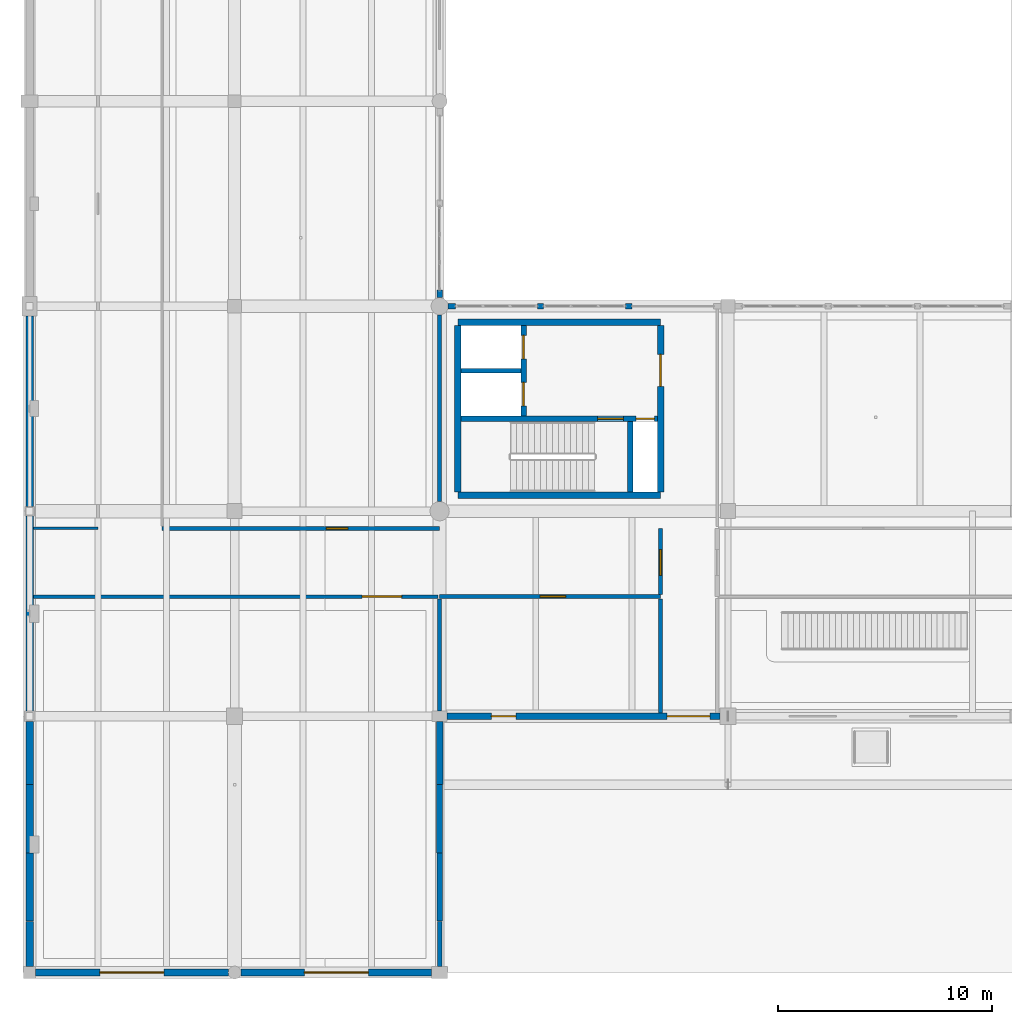
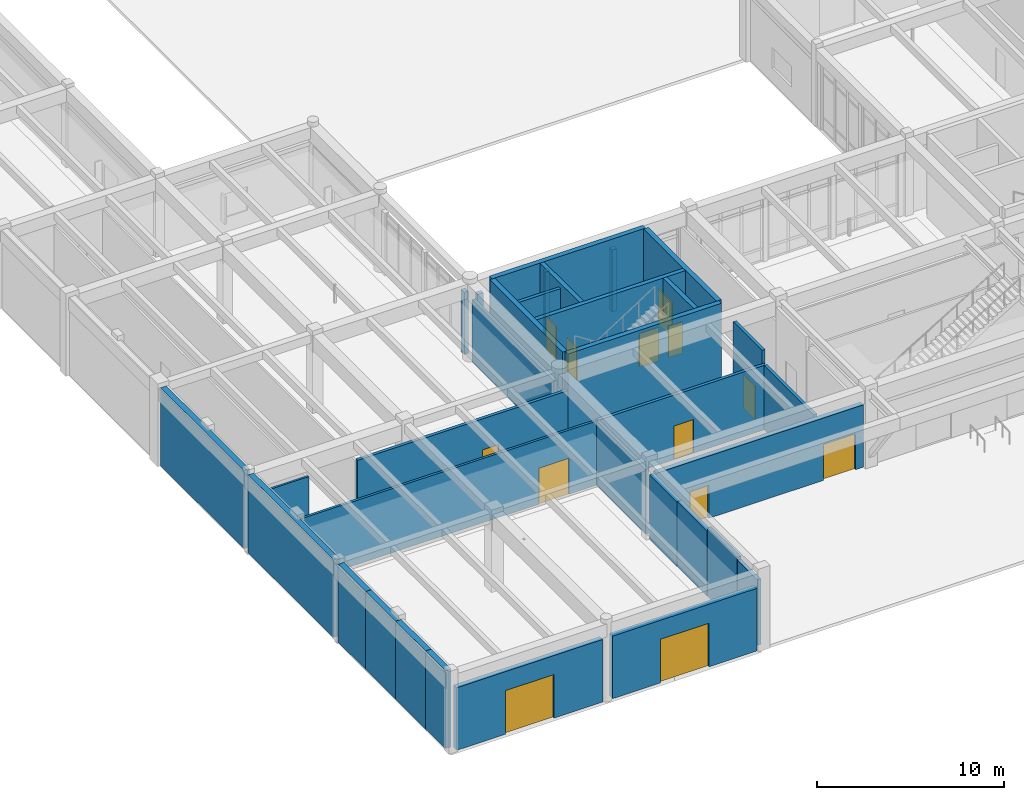
# One storey, part 107 of 138: 33 walls, 13 doors, 13 openings.
"""IFC4 building model written with IfcOpenShell, lengths in metres."""

from ifc_helpers import new_model, si_unit, direction, frame, frame_2d, origin, place, context, subcontext, project, spatial, rectangle, extrude, material, layer, layer_set, type_object, element, fill, save


model = new_model("IFC4")

# Units and contexts
model_context = context("Model", 3, precision=1e-05, world=origin(), true_north=direction((0.0, 1.0)))
body_context = subcontext(model_context, "Body", "Model", "MODEL_VIEW")
ifc_project = project(units=[si_unit("LENGTHUNIT", "METRE"), si_unit("AREAUNIT", "SQUARE_METRE"), si_unit("VOLUMEUNIT", "CUBIC_METRE"), si_unit("PLANEANGLEUNIT", "RADIAN"), si_unit("MASSUNIT", "GRAM", prefix="KILO")], contexts=[model_context])

# Site, building, storey
site_placement = place(None, origin())
site = spatial("IfcSite", under=ifc_project, at=site_placement, CompositionType="ELEMENT")
building_placement = place(site_placement, origin())
building = spatial("IfcBuilding", under=site, at=building_placement, Name="Fikremerkos Civic Library", CompositionType="ELEMENT")
storey_placement = place(building_placement, origin())
storey = spatial("IfcBuildingStorey", under=building, at=storey_placement, Name="L00", CompositionType="ELEMENT", Elevation=0.0)

# Walls
ifc_material_1 = material(Name="Concrete C40/50", Category="concrete")
ifc_layer_1 = layer(ifc_material_1, 0.300048828125, Name="Concrete C40/50")
ifc_layer_set_1 = layer_set([ifc_layer_1], Name="Concrete C40/50")
wall_type_1 = type_object("IfcWallType", Name="Core shear wall CSW-01 300", PredefinedType="SHEAR", material=ifc_layer_set_1)
for number, where, z_axis, x_axis, name in (
    (1, (29.550048828125, 22.35009765625, 0.0), (0.0, 0.0, 1.0), (-1.0, 0.0, 0.0), "Core K1 south shear wall L00"),
    (2, (20.050048828125, 30.449951171875, 0.0), (0.0, 0.0, 1.0), (1.0, 0.0, 0.0), "Core K1 north shear wall L00"),
):
    element("IfcWall", number, at=place(storey_placement, frame(where, z_axis=z_axis, x_axis=x_axis)), inside=storey, type_object=wall_type_1, Name=name, PredefinedType="SHEAR", context=body_context, shape_type="SweptSolid", body=[
        extrude(rectangle(XDim=9.5, YDim=0.300048828125, at=frame_2d((4.75, 0.0))), origin(), (0.0, 0.0, 1.0), 5.39990234375),
    ])
wall_1_placement = place(storey_placement, frame((20.050048828125, 22.501953125, 0.0), z_axis=(0.0, 0.0, 1.0), x_axis=(0.0, 1.0, 0.0)))
element("IfcWall", 3, at=wall_1_placement, inside=storey, type_object=wall_type_1, Name="Core K1 west shear wall L00", PredefinedType="SHEAR", context=body_context, shape_type="SweptSolid", body=[
    extrude(rectangle(XDim=7.796142578125, YDim=0.300048828125, at=frame_2d((3.89794921875, 0.0))), origin(), (0.0, 0.0, 1.0), 5.39990234375),
])

# Wall, opening, door
wall_2_placement = place(storey_placement, frame((29.550048828125, 30.298095703125, 0.0), z_axis=(0.0, 0.0, 1.0), x_axis=(0.0, -1.0, 0.0)))
wall_2 = element("IfcWall", 4, at=wall_2_placement, inside=storey, type_object=wall_type_1, Name="Core K1 east shear wall L00", PredefinedType="SHEAR", context=body_context, shape_type="SweptSolid", body=[
    extrude(rectangle(XDim=7.796142578125, YDim=0.300048828125, at=frame_2d((3.89794921875, 0.0))), origin(), (0.0, 0.0, 1.0), 5.39990234375),
])
opening_1_placement = place(wall_2_placement, frame((1.347900390625, 0.0, 0.0)))
opening_1 = element("IfcOpeningElement", 5, at=opening_1_placement, cuts=wall_2, Name="Opening D035", PredefinedType="OPENING", context=body_context, shape_type="SweptSolid", body=[
    extrude(rectangle(XDim=1.5, YDim=2.25, at=frame_2d((0.75, 1.125))), frame((0.0, 0.159912109375, 0.0), z_axis=(0.0, -1.0, 0.0), x_axis=(1.0, 0.0, 0.0)), (0.0, 0.0, 1.0), 0.320068359375),
])
ifc_material_2 = material(Name="Hardwood timber and acoustic glass", Category="wood")
door_type_1 = type_object("IfcDoorType", Name="Pedestrian door DT-05 1500x2250", OperationType="NOTDEFINED", PredefinedType="DOOR", material=ifc_material_2)
door_1_placement = place(opening_1_placement, origin())
door_1 = element("IfcDoor", 6, at=door_1_placement, inside=storey, type_object=door_type_1, Name="Core K1 lobby fire door D035 L00", OperationType="SINGLE_SWING_RIGHT", OverallHeight=2.25, OverallWidth=1.5, PredefinedType="DOOR", context=body_context, shape_type="SweptSolid", body=[
    extrude(rectangle(XDim=1.5, YDim=2.25, at=frame_2d((0.75, 1.125))), frame((0.0, 0.032470703125, 0.0), z_axis=(0.0, -1.0, 0.0), x_axis=(1.0, 0.0, 0.0)), (0.0, 0.0, 1.0), 0.06494140625),
])
fill(opening_1, door_1)

# Wall, openings, doors
ifc_layer_2 = layer(ifc_material_1, 0.260009765625, Name="Concrete C40/50")
ifc_layer_set_2 = layer_set([ifc_layer_2], Name="Concrete C40/50")
wall_type_2 = type_object("IfcWallType", Name="Core shear wall CSW-02 260", PredefinedType="SHEAR", material=ifc_layer_set_2)
wall_3_placement = place(storey_placement, frame((20.201904296875, 25.929931640625, 0.0), z_axis=(0.0, 0.0, 1.0), x_axis=(1.0, 0.0, 0.0)))
wall_3 = element("IfcWall", 7, at=wall_3_placement, inside=storey, type_object=wall_type_2, Name="Core K1 stair compartment wall L00", PredefinedType="SHEAR", context=body_context, shape_type="SweptSolid", body=[
    extrude(rectangle(XDim=9.196044921875, YDim=0.260009765625, at=frame_2d((4.59814453125, 0.0))), origin(), (0.0, 0.0, 1.0), 5.39990234375),
])
opening_2_placement = place(wall_3_placement, frame((6.39794921875, 0.0, 0.0)))
opening_2 = element("IfcOpeningElement", 8, at=opening_2_placement, cuts=wall_3, Name="Opening D036", PredefinedType="OPENING", context=body_context, shape_type="SweptSolid", body=[
    extrude(rectangle(XDim=1.199951171875, YDim=2.199951171875, at=frame_2d((0.60009765625, 1.10009765625))), frame((0.0, 0.139892578125, 0.0), z_axis=(0.0, -1.0, 0.0), x_axis=(1.0, 0.0, 0.0)), (0.0, 0.0, 1.0), 0.280029296875),
])
opening_3_placement = place(wall_3_placement, frame((8.202880859375, 0.0, 0.0)))
opening_3 = element("IfcOpeningElement", 9, at=opening_3_placement, cuts=wall_3, Name="Opening D037", PredefinedType="OPENING", context=body_context, shape_type="SweptSolid", body=[
    extrude(rectangle(XDim=0.85009765625, YDim=2.050048828125, at=frame_2d((0.425048828125, 1.02490234375))), frame((0.0, 0.139892578125, 0.0), z_axis=(0.0, -1.0, 0.0), x_axis=(1.0, 0.0, 0.0)), (0.0, 0.0, 1.0), 0.280029296875),
])
door_type_2 = type_object("IfcDoorType", Name="Pedestrian door DT-06 1200x2200", OperationType="NOTDEFINED", PredefinedType="DOOR", material=ifc_material_2)
door_2_placement = place(opening_2_placement, origin())
door_2 = element("IfcDoor", 10, at=door_2_placement, inside=storey, type_object=door_type_2, Name="Core K1 stair fire door D036 L00", OperationType="SINGLE_SWING_RIGHT", OverallHeight=2.199951171875, OverallWidth=1.199951171875, PredefinedType="DOOR", context=body_context, shape_type="SweptSolid", body=[
    extrude(rectangle(XDim=1.199951171875, YDim=2.199951171875, at=frame_2d((0.60009765625, 1.10009765625))), frame((0.0, 0.032470703125, 0.0), z_axis=(0.0, -1.0, 0.0), x_axis=(1.0, 0.0, 0.0)), (0.0, 0.0, 1.0), 0.06494140625),
])
fill(opening_2, door_2)
door_type_3 = type_object("IfcDoorType", Name="Pedestrian door DT-08 850x2050", OperationType="NOTDEFINED", PredefinedType="DOOR", material=ifc_material_2)
door_3_placement = place(opening_3_placement, origin())
door_3 = element("IfcDoor", 11, at=door_3_placement, inside=storey, type_object=door_type_3, Name="Core K1 riser access fire door D037 L00", OperationType="SINGLE_SWING_LEFT", OverallHeight=2.050048828125, OverallWidth=0.85009765625, PredefinedType="DOOR", context=body_context, shape_type="SweptSolid", body=[
    extrude(rectangle(XDim=0.85009765625, YDim=2.050048828125, at=frame_2d((0.425048828125, 1.02490234375))), frame((0.0, 0.032470703125, 0.0), z_axis=(0.0, -1.0, 0.0), x_axis=(1.0, 0.0, 0.0)), (0.0, 0.0, 1.0), 0.06494140625),
])
fill(opening_3, door_3)

# Wall
wall_4_placement = place(storey_placement, frame((28.1298828125, 22.501953125, 0.0), z_axis=(0.0, 0.0, 1.0), x_axis=(0.0, 1.0, 0.0)))
element("IfcWall", 12, at=wall_4_placement, inside=storey, type_object=wall_type_2, Name="Core K1 stair-riser shear wall L00", PredefinedType="SHEAR", context=body_context, shape_type="SweptSolid", body=[
    extrude(rectangle(XDim=3.296142578125, YDim=0.260009765625, at=frame_2d((1.64794921875, 0.0))), origin(), (0.0, 0.0, 1.0), 5.39990234375),
])

# Wall, openings, doors
wall_5_placement = place(storey_placement, frame((23.1298828125, 26.06201171875, 0.0), z_axis=(0.0, 0.0, 1.0), x_axis=(0.0, 1.0, 0.0)))
wall_5 = element("IfcWall", 13, at=wall_5_placement, inside=storey, type_object=wall_type_2, Name="Core K1 lift shaft front wall L00", PredefinedType="SHEAR", context=body_context, shape_type="SweptSolid", body=[
    extrude(rectangle(XDim=4.236083984375, YDim=0.260009765625, at=frame_2d((2.1181640625, 0.0))), origin(), (0.0, 0.0, 1.0), 5.39990234375),
])
opening_4_placement = place(wall_5_placement, frame((0.468017578125, 0.0, 0.0)))
opening_4 = element("IfcOpeningElement", 14, at=opening_4_placement, cuts=wall_5, Name="Opening LD05", PredefinedType="OPENING", context=body_context, shape_type="SweptSolid", body=[
    extrude(rectangle(XDim=1.10009765625, YDim=2.14990234375, at=frame_2d((0.550048828125, 1.074951171875))), frame((0.0, 0.139892578125, 0.0), z_axis=(0.0, -1.0, 0.0), x_axis=(1.0, 0.0, 0.0)), (0.0, 0.0, 1.0), 0.280029296875),
])
opening_5_placement = place(wall_5_placement, frame((2.66796875, 0.0, 0.0)))
opening_5 = element("IfcOpeningElement", 15, at=opening_5_placement, cuts=wall_5, Name="Opening LD06", PredefinedType="OPENING", context=body_context, shape_type="SweptSolid", body=[
    extrude(rectangle(XDim=1.10009765625, YDim=2.14990234375, at=frame_2d((0.550048828125, 1.074951171875))), frame((0.0, 0.139892578125, 0.0), z_axis=(0.0, -1.0, 0.0), x_axis=(1.0, 0.0, 0.0)), (0.0, 0.0, 1.0), 0.280029296875),
])
ifc_material_3 = material(Name="Brushed stainless steel", Category="steel")
door_type_4 = type_object("IfcDoorType", Name="Lift landing door LDT-01 1100x2150", OperationType="NOTDEFINED", PredefinedType="DOOR", material=ifc_material_3)
door_4_placement = place(opening_4_placement, origin())
door_4 = element("IfcDoor", 16, at=door_4_placement, inside=storey, type_object=door_type_4, Name="Lift LF01 sliding landing door LD05 L00", OperationType="SLIDING_TO_LEFT", OverallHeight=2.14990234375, OverallWidth=1.10009765625, PredefinedType="DOOR", context=body_context, shape_type="SweptSolid", body=[
    extrude(rectangle(XDim=1.10009765625, YDim=2.14990234375, at=frame_2d((0.550048828125, 1.074951171875))), frame((0.0, 0.032470703125, 0.0), z_axis=(0.0, -1.0, 0.0), x_axis=(1.0, 0.0, 0.0)), (0.0, 0.0, 1.0), 0.06494140625),
])
fill(opening_4, door_4)
door_5_placement = place(opening_5_placement, origin())
door_5 = element("IfcDoor", 17, at=door_5_placement, inside=storey, type_object=door_type_4, Name="Lift LF02 sliding landing door LD06 L00", OperationType="SLIDING_TO_LEFT", OverallHeight=2.14990234375, OverallWidth=1.10009765625, PredefinedType="DOOR", context=body_context, shape_type="SweptSolid", body=[
    extrude(rectangle(XDim=1.10009765625, YDim=2.14990234375, at=frame_2d((0.550048828125, 1.074951171875))), frame((0.0, 0.032470703125, 0.0), z_axis=(0.0, -1.0, 0.0), x_axis=(1.0, 0.0, 0.0)), (0.0, 0.0, 1.0), 0.06494140625),
])
fill(opening_5, door_5)

# Walls
ifc_layer_3 = layer(ifc_material_1, 0.35009765625, Name="Concrete C40/50")
ifc_layer_set_3 = layer_set([ifc_layer_3], Name="Concrete C40/50")
wall_type_3 = type_object("IfcWallType", Name="Exterior solid wall ESW-01 350", PredefinedType="SOLIDWALL", material=ifc_layer_set_3)
wall_6_placement = place(storey_placement, frame((0.0, 0.27294921875, 0.0), z_axis=(0.0, 0.0, 1.0), x_axis=(0.0, 1.0, 0.0)))
element("IfcWall", 18, at=wall_6_placement, inside=storey, type_object=wall_type_3, Name="Party boundary wall ESW-01 L00 #183", PredefinedType="SOLIDWALL", context=body_context, shape_type="SweptSolid", body=[
    extrude(rectangle(XDim=2.125, YDim=0.35009765625, at=frame_2d((1.0625, 0.0))), origin(), (0.0, 0.0, 1.0), 5.10009765625),
])
wall_7_placement = place(storey_placement, frame((0.0, 2.402099609375, 0.0), z_axis=(0.0, 0.0, 1.0), x_axis=(0.0, 1.0, 0.0)))
element("IfcWall", 19, at=wall_7_placement, inside=storey, type_object=wall_type_3, Name="Party boundary wall ESW-01 L00 #184", PredefinedType="SOLIDWALL", context=body_context, shape_type="SweptSolid", body=[
    extrude(rectangle(XDim=3.19580078125, YDim=0.35009765625, at=frame_2d((1.597900390625, 0.0))), origin(), (0.0, 0.0, 1.0), 5.10009765625),
])
wall_8_placement = place(storey_placement, frame((0.0, 5.60205078125, 0.0), z_axis=(0.0, 0.0, 1.0), x_axis=(0.0, 1.0, 0.0)))
element("IfcWall", 20, at=wall_8_placement, inside=storey, type_object=wall_type_3, Name="Party boundary wall ESW-01 L00 #185", PredefinedType="SOLIDWALL", context=body_context, shape_type="SweptSolid", body=[
    extrude(rectangle(XDim=3.196044921875, YDim=0.35009765625, at=frame_2d((1.59814453125, 0.0))), origin(), (0.0, 0.0, 1.0), 5.10009765625),
])
wall_9_placement = place(storey_placement, frame((0.0, 8.802001953125, 0.0), z_axis=(0.0, 0.0, 1.0), x_axis=(0.0, 1.0, 0.0)))
element("IfcWall", 21, at=wall_9_placement, inside=storey, type_object=wall_type_3, Name="Party boundary wall ESW-01 L00 #186", PredefinedType="SOLIDWALL", context=body_context, shape_type="SweptSolid", body=[
    extrude(rectangle(XDim=2.949951171875, YDim=0.35009765625, at=frame_2d((1.47509765625, 0.0))), origin(), (0.0, 0.0, 1.0), 5.10009765625),
])
wall_10_placement = place(storey_placement, frame((0.0, 12.248046875, 0.0), z_axis=(0.0, 0.0, 1.0), x_axis=(0.0, 1.0, 0.0)))
element("IfcWall", 22, at=wall_10_placement, inside=storey, type_object=wall_type_3, Name="Party boundary wall ESW-01 L00 #187", PredefinedType="SOLIDWALL", context=body_context, shape_type="SweptSolid", body=[
    extrude(rectangle(XDim=9.12890625, YDim=0.35009765625, at=frame_2d((4.564453125, 0.0))), origin(), (0.0, 0.0, 1.0), 5.10009765625),
])
wall_11_placement = place(storey_placement, frame((0.0, 21.822998046875, 0.0), z_axis=(0.0, 0.0, 1.0), x_axis=(0.0, 1.0, 0.0)))
element("IfcWall", 23, at=wall_11_placement, inside=storey, type_object=wall_type_3, Name="Party boundary wall ESW-01 L00 #188", PredefinedType="SOLIDWALL", context=body_context, shape_type="SweptSolid", body=[
    extrude(rectangle(XDim=8.928955078125, YDim=0.35009765625, at=frame_2d((4.46435546875, 0.0))), origin(), (0.0, 0.0, 1.0), 5.10009765625),
])

# Wall, openings, doors
ifc_material_4 = material(Name="Precast concrete C40/50", Category="concrete")
ifc_layer_4 = layer(ifc_material_4, 0.320068359375, Name="Precast concrete C40/50")
ifc_layer_set_4 = layer_set([ifc_layer_4], Name="Precast concrete C40/50")
wall_type_4 = type_object("IfcWallType", Name="Exterior solid wall ESW-02 320", PredefinedType="SOLIDWALL", material=ifc_layer_set_4)
wall_12_placement = place(storey_placement, frame((32.326904296875, 12.0, 0.0), z_axis=(0.0, 0.0, 1.0), x_axis=(-1.0, 0.0, 0.0)))
wall_12 = element("IfcWall", 24, at=wall_12_placement, inside=storey, type_object=wall_type_4, Name="Exterior ground wall ESW-02 #176", PredefinedType="SOLIDWALL", context=body_context, shape_type="SweptSolid", body=[
    extrude(rectangle(XDim=12.77880859375, YDim=0.320068359375, at=frame_2d((6.389404296875, 0.0))), origin(), (0.0, 0.0, 1.0), 4.070068359375),
])
opening_6_placement = place(wall_12_placement, frame((9.552001953125, 0.0, 0.0)))
opening_6 = element("IfcOpeningElement", 25, at=opening_6_placement, cuts=wall_12, Name="Opening D011", PredefinedType="OPENING", context=body_context, shape_type="SweptSolid", body=[
    extrude(rectangle(XDim=1.14990234375, YDim=2.14990234375, at=frame_2d((0.574951171875, 1.074951171875))), frame((0.0, 0.169921875, 0.0), z_axis=(0.0, -1.0, 0.0), x_axis=(1.0, 0.0, 0.0)), (0.0, 0.0, 1.0), 0.340087890625),
])
opening_7_placement = place(wall_12_placement, frame((0.47705078125, 0.0, 0.0)))
opening_7 = element("IfcOpeningElement", 26, at=opening_7_placement, cuts=wall_12, Name="Opening D012", PredefinedType="OPENING", context=body_context, shape_type="SweptSolid", body=[
    extrude(rectangle(XDim=2.0, YDim=2.35009765625, at=frame_2d((1.0, 1.175048828125))), frame((0.0, 0.169921875, 0.0), z_axis=(0.0, -1.0, 0.0), x_axis=(1.0, 0.0, 0.0)), (0.0, 0.0, 1.0), 0.340087890625),
])
ifc_material_5 = material(Name="Thermally broken bronze aluminium and glass", Category="aluminium")
door_type_5 = type_object("IfcDoorType", Name="Pedestrian door DT-11 2000x2350", OperationType="NOTDEFINED", PredefinedType="DOOR", material=ifc_material_5)
door_6_placement = place(opening_7_placement, origin())
door_6 = element("IfcDoor", 27, at=door_6_placement, inside=storey, type_object=door_type_5, Name="Core K1 final exit discharge door D012", OperationType="SINGLE_SWING_RIGHT", OverallHeight=2.35009765625, OverallWidth=2.0, PredefinedType="DOOR", context=body_context, shape_type="SweptSolid", body=[
    extrude(rectangle(XDim=2.0, YDim=2.35009765625, at=frame_2d((1.0, 1.175048828125))), frame((0.0, 0.032470703125, 0.0), z_axis=(0.0, -1.0, 0.0), x_axis=(1.0, 0.0, 0.0)), (0.0, 0.0, 1.0), 0.06494140625),
])
fill(opening_7, door_6)
door_type_6 = type_object("IfcDoorType", Name="Pedestrian door DT-14 1150x2150", OperationType="NOTDEFINED", PredefinedType="DOOR", material=ifc_material_5)
door_7_placement = place(opening_6_placement, origin())
door_7 = element("IfcDoor", 28, at=door_7_placement, inside=storey, type_object=door_type_6, Name="Fire command room grade door D011", OperationType="SINGLE_SWING_LEFT", OverallHeight=2.14990234375, OverallWidth=1.14990234375, PredefinedType="DOOR", context=body_context, shape_type="SweptSolid", body=[
    extrude(rectangle(XDim=1.14990234375, YDim=2.14990234375, at=frame_2d((0.574951171875, 1.074951171875))), frame((0.0, 0.032470703125, 0.0), z_axis=(0.0, -1.0, 0.0), x_axis=(1.0, 0.0, 0.0)), (0.0, 0.0, 1.0), 0.06494140625),
])
fill(opening_6, door_7)

# Wall, opening, door
wall_13_placement = place(storey_placement, frame((18.826904296875, 0.0, 0.0), z_axis=(0.0, 0.0, 1.0), x_axis=(-1.0, 0.0, 0.0)))
wall_13 = element("IfcWall", 29, at=wall_13_placement, inside=storey, type_object=wall_type_4, Name="Exterior ground wall ESW-02 #181", PredefinedType="SOLIDWALL", context=body_context, shape_type="SweptSolid", body=[
    extrude(rectangle(XDim=8.928955078125, YDim=0.320068359375, at=frame_2d((4.46435546875, 0.0))), origin(), (0.0, 0.0, 1.0), 4.090087890625),
])
opening_8_placement = place(wall_13_placement, frame((2.964599609375, 0.0, 0.0)))
opening_8 = element("IfcOpeningElement", 30, at=opening_8_placement, cuts=wall_13, Name="Opening VG03", PredefinedType="OPENING", context=body_context, shape_type="SweptSolid", body=[
    extrude(rectangle(XDim=3.0, YDim=2.85009765625, at=frame_2d((1.5, 1.425048828125))), frame((0.0, 0.169921875, 0.0), z_axis=(0.0, -1.0, 0.0), x_axis=(1.0, 0.0, 0.0)), (0.0, 0.0, 1.0), 0.340087890625),
])
ifc_material_6 = material(Name="Galvanized insulated steel lath", Category="steel")
door_type_7 = type_object("IfcDoorType", Name="Service roller gate VG-04 3000x2850", OperationType="ROLLINGUP", PredefinedType="GATE", material=ifc_material_6)
door_8_placement = place(opening_8_placement, origin())
door_8 = element("IfcDoor", 31, at=door_8_placement, inside=storey, type_object=door_type_7, Name="Service roller gate VG03", OperationType="ROLLINGUP", OverallHeight=2.85009765625, OverallWidth=3.0, PredefinedType="GATE", context=body_context, shape_type="SweptSolid", body=[
    extrude(rectangle(XDim=3.0, YDim=2.85009765625, at=frame_2d((1.5, 1.425048828125))), frame((0.0, 0.032470703125, 0.0), z_axis=(0.0, -1.0, 0.0), x_axis=(1.0, 0.0, 0.0)), (0.0, 0.0, 1.0), 0.06494140625),
])
fill(opening_8, door_8)

wall_14_placement = place(storey_placement, frame((9.302001953125, 0.0, 0.0), z_axis=(0.0, 0.0, 1.0), x_axis=(-1.0, 0.0, 0.0)))
wall_14 = element("IfcWall", 32, at=wall_14_placement, inside=storey, type_object=wall_type_4, Name="Exterior ground wall ESW-02 #182", PredefinedType="SOLIDWALL", context=body_context, shape_type="SweptSolid", body=[
    extrude(rectangle(XDim=9.029052734375, YDim=0.320068359375, at=frame_2d((4.5146484375, 0.0))), origin(), (0.0, 0.0, 1.0), 4.090087890625),
])
opening_9_placement = place(wall_14_placement, frame((3.014404296875, 0.0, 0.0)))
opening_9 = element("IfcOpeningElement", 33, at=opening_9_placement, cuts=wall_14, Name="Opening VG04", PredefinedType="OPENING", context=body_context, shape_type="SweptSolid", body=[
    extrude(rectangle(XDim=3.0, YDim=2.85009765625, at=frame_2d((1.5, 1.425048828125))), frame((0.0, 0.169921875, 0.0), z_axis=(0.0, -1.0, 0.0), x_axis=(1.0, 0.0, 0.0)), (0.0, 0.0, 1.0), 0.340087890625),
])
door_9_placement = place(opening_9_placement, origin())
door_9 = element("IfcDoor", 34, at=door_9_placement, inside=storey, type_object=door_type_7, Name="Service roller gate VG04", OperationType="ROLLINGUP", OverallHeight=2.85009765625, OverallWidth=3.0, PredefinedType="GATE", context=body_context, shape_type="SweptSolid", body=[
    extrude(rectangle(XDim=3.0, YDim=2.85009765625, at=frame_2d((1.5, 1.425048828125))), frame((0.0, 0.032470703125, 0.0), z_axis=(0.0, -1.0, 0.0), x_axis=(1.0, 0.0, 0.0)), (0.0, 0.0, 1.0), 0.06494140625),
])
fill(opening_9, door_9)

# Walls
ifc_layer_5 = layer(ifc_material_4, 0.300048828125, Name="Precast concrete C40/50")
ifc_layer_set_5 = layer_set([ifc_layer_5], Name="Precast concrete C40/50")
wall_type_5 = type_object("IfcWallType", Name="Exterior solid wall ESW-03 300", PredefinedType="SOLIDWALL", material=ifc_layer_set_5)
wall_15_placement = place(storey_placement, frame((19.199951171875, 11.751953125, 0.0), z_axis=(0.0, 0.0, 1.0), x_axis=(0.0, -1.0, 0.0)))
element("IfcWall", 35, at=wall_15_placement, inside=storey, type_object=wall_type_5, Name="Exterior solid wall ESW-03 L00 #177", PredefinedType="SOLIDWALL", context=body_context, shape_type="SweptSolid", body=[
    extrude(rectangle(XDim=2.949951171875, YDim=0.300048828125, at=frame_2d((1.47509765625, 0.0))), origin(), (0.0, 0.0, 1.0), 4.219970703125),
])
ifc_layer_6 = layer(ifc_material_4, 0.280029296875, Name="Precast concrete C40/50")
ifc_layer_set_6 = layer_set([ifc_layer_6], Name="Precast concrete C40/50")
wall_type_6 = type_object("IfcWallType", Name="Exterior solid wall ESW-04 280", PredefinedType="SOLIDWALL", material=ifc_layer_set_6)
wall_16_placement = place(storey_placement, frame((19.199951171875, 8.798095703125, 0.0), z_axis=(0.0, 0.0, 1.0), x_axis=(0.0, -1.0, 0.0)))
element("IfcWall", 36, at=wall_16_placement, inside=storey, type_object=wall_type_6, Name="Exterior solid wall ESW-04 L00 #178", PredefinedType="SOLIDWALL", context=body_context, shape_type="SweptSolid", body=[
    extrude(rectangle(XDim=3.196044921875, YDim=0.280029296875, at=frame_2d((1.59814453125, 0.0))), origin(), (0.0, 0.0, 1.0), 4.25),
])
ifc_layer_7 = layer(ifc_material_4, 0.25, Name="Precast concrete C40/50")
ifc_layer_set_7 = layer_set([ifc_layer_7], Name="Precast concrete C40/50")
wall_type_7 = type_object("IfcWallType", Name="Exterior solid wall ESW-05 250", PredefinedType="SOLIDWALL", material=ifc_layer_set_7)
wall_17_placement = place(storey_placement, frame((19.199951171875, 5.597900390625, 0.0), z_axis=(0.0, 0.0, 1.0), x_axis=(0.0, -1.0, 0.0)))
element("IfcWall", 37, at=wall_17_placement, inside=storey, type_object=wall_type_7, Name="Exterior solid wall ESW-05 L00 #179", PredefinedType="SOLIDWALL", context=body_context, shape_type="SweptSolid", body=[
    extrude(rectangle(XDim=3.19580078125, YDim=0.25, at=frame_2d((1.597900390625, 0.0))), origin(), (0.0, 0.0, 1.0), 4.469970703125),
])
for number, where, z_axis, x_axis, name in (
    (38, (19.199951171875, 31.947998046875, 0.0), (0.0, 0.0, 1.0), (0.0, -1.0, 0.0), "Exterior facade pier ESW-05 #203"),
    (39, (19.597900390625, 31.199951171875, 0.0), (0.0, 0.0, 1.0), (1.0, 0.0, 0.0), "Exterior facade pier ESW-05 #205"),
):
    element("IfcWall", number, at=place(storey_placement, frame(where, z_axis=z_axis, x_axis=x_axis)), inside=storey, type_object=wall_type_7, Name=name, PredefinedType="SOLIDWALL", context=body_context, shape_type="SweptSolid", body=[
        extrude(rectangle(XDim=0.35009765625, YDim=0.25, at=frame_2d((0.175048828125, 0.0))), origin(), (0.0, 0.0, 1.0), 4.070068359375),
    ])
wall_18_placement = place(storey_placement, frame((23.7744140625, 31.199951171875, 0.0), z_axis=(0.0, 0.0, 1.0), x_axis=(1.0, 0.0, 0.0)))
element("IfcWall", 40, at=wall_18_placement, inside=storey, type_object=wall_type_7, Name="Exterior facade mullion pier ESW-05 #207", PredefinedType="SOLIDWALL", context=body_context, shape_type="SweptSolid", body=[
    extrude(rectangle(XDim=0.2998046875, YDim=0.25, at=frame_2d((0.14990234375, 0.0))), origin(), (0.0, 0.0, 1.0), 4.070068359375),
])
wall_19_placement = place(storey_placement, frame((27.900634765625, 31.199951171875, 0.0), z_axis=(0.0, 0.0, 1.0), x_axis=(1.0, 0.0, 0.0)))
element("IfcWall", 41, at=wall_19_placement, inside=storey, type_object=wall_type_7, Name="Exterior facade mullion pier ESW-05 #208", PredefinedType="SOLIDWALL", context=body_context, shape_type="SweptSolid", body=[
    extrude(rectangle(XDim=0.300048828125, YDim=0.25, at=frame_2d((0.14990234375, 0.0))), origin(), (0.0, 0.0, 1.0), 4.070068359375),
])
ifc_layer_8 = layer(ifc_material_4, 0.219970703125, Name="Precast concrete C40/50")
ifc_layer_set_8 = layer_set([ifc_layer_8], Name="Precast concrete C40/50")
wall_type_8 = type_object("IfcWallType", Name="Exterior solid wall ESW-06 220", PredefinedType="SOLIDWALL", material=ifc_layer_set_8)
wall_20_placement = place(storey_placement, frame((19.199951171875, 2.39794921875, 0.0), z_axis=(0.0, 0.0, 1.0), x_axis=(0.0, -1.0, 0.0)))
element("IfcWall", 42, at=wall_20_placement, inside=storey, type_object=wall_type_8, Name="Exterior solid wall ESW-06 L00 #180", PredefinedType="SOLIDWALL", context=body_context, shape_type="SweptSolid", body=[
    extrude(rectangle(XDim=2.125, YDim=0.219970703125, at=frame_2d((1.0625, 0.0))), origin(), (0.0, 0.0, 1.0), 4.2900390625),
])

# Wall, opening, door
ifc_material_7 = material(Name="Acoustic concrete blockwork", Category="masonry")
ifc_layer_9 = layer(ifc_material_7, 0.18994140625, Name="Acoustic concrete blockwork")
ifc_layer_set_9 = layer_set([ifc_layer_9], Name="Acoustic concrete blockwork")
wall_type_9 = type_object("IfcWallType", Name="Interior partition wall IPW-01 190", PredefinedType="PARTITIONING", material=ifc_layer_set_9)
wall_21_placement = place(storey_placement, frame((19.199951171875, 17.60009765625, 0.0), z_axis=(0.0, 0.0, 1.0), x_axis=(1.0, 0.0, 0.0)))
wall_21 = element("IfcWall", 43, at=wall_21_placement, inside=storey, type_object=wall_type_9, Name="Interior wall IPW-01 L00 #81", PredefinedType="PARTITIONING", context=body_context, shape_type="SweptSolid", body=[
    extrude(rectangle(XDim=10.35009765625, YDim=0.18994140625, at=frame_2d((5.175048828125, 0.0))), origin(), (0.0, 0.0, 1.0), 4.219970703125),
])
opening_10_placement = place(wall_21_placement, frame((4.699951171875, 0.0, 0.0)))
opening_10 = element("IfcOpeningElement", 44, at=opening_10_placement, cuts=wall_21, Name="Opening D164", PredefinedType="OPENING", context=body_context, shape_type="SweptSolid", body=[
    extrude(rectangle(XDim=1.199951171875, YDim=2.199951171875, at=frame_2d((0.60009765625, 1.10009765625))), frame((0.0, 0.10498046875, 0.0), z_axis=(0.0, -1.0, 0.0), x_axis=(1.0, 0.0, 0.0)), (0.0, 0.0, 1.0), 0.2099609375),
])
door_10_placement = place(opening_10_placement, origin())
door_10 = element("IfcDoor", 45, at=door_10_placement, inside=storey, type_object=door_type_2, Name="Interior door D164 L00", OperationType="SINGLE_SWING_LEFT", OverallHeight=2.199951171875, OverallWidth=1.199951171875, PredefinedType="DOOR", context=body_context, shape_type="SweptSolid", body=[
    extrude(rectangle(XDim=1.199951171875, YDim=2.199951171875, at=frame_2d((0.60009765625, 1.10009765625))), frame((0.0, 0.032470703125, 0.0), z_axis=(0.0, -1.0, 0.0), x_axis=(1.0, 0.0, 0.0)), (0.0, 0.0, 1.0), 0.06494140625),
])
fill(opening_10, door_10)

# Walls
wall_22_placement = place(storey_placement, frame((19.199951171875, 12.2529296875, 0.0), z_axis=(0.0, 0.0, 1.0), x_axis=(0.0, 1.0, 0.0)))
element("IfcWall", 46, at=wall_22_placement, inside=storey, type_object=wall_type_9, Name="Interior wall IPW-01 L00 #87", PredefinedType="PARTITIONING", context=body_context, shape_type="SweptSolid", body=[
    extrude(rectangle(XDim=5.2421875, YDim=0.18994140625, at=frame_2d((2.62109375, 0.0))), origin(), (0.0, 0.0, 1.0), 4.219970703125),
])
wall_23_placement = place(storey_placement, frame((29.550048828125, 12.1630859375, 0.0), z_axis=(0.0, 0.0, 1.0), x_axis=(0.0, 1.0, 0.0)))
element("IfcWall", 47, at=wall_23_placement, inside=storey, type_object=wall_type_9, Name="Interior wall IPW-01 L00 #88", PredefinedType="PARTITIONING", context=body_context, shape_type="SweptSolid", body=[
    extrude(rectangle(XDim=5.33203125, YDim=0.18994140625, at=frame_2d((2.666015625, 0.0))), origin(), (0.0, 0.0, 1.0), 4.219970703125),
])

# Wall, opening, door
wall_24_placement = place(storey_placement, frame((29.550048828125, 17.705078125, 0.0), z_axis=(0.0, 0.0, 1.0), x_axis=(0.0, 1.0, 0.0)))
wall_24 = element("IfcWall", 48, at=wall_24_placement, inside=storey, type_object=wall_type_9, Name="Interior wall IPW-01 L00 #89", PredefinedType="PARTITIONING", context=body_context, shape_type="SweptSolid", body=[
    extrude(rectangle(XDim=3.094970703125, YDim=0.18994140625, at=frame_2d((1.54736328125, 0.0))), origin(), (0.0, 0.0, 1.0), 5.080078125),
])
opening_11_placement = place(wall_24_placement, frame((0.89501953125, 0.0, 0.0)))
opening_11 = element("IfcOpeningElement", 49, at=opening_11_placement, cuts=wall_24, Name="Opening D188", PredefinedType="OPENING", context=body_context, shape_type="SweptSolid", body=[
    extrude(rectangle(XDim=1.199951171875, YDim=2.199951171875, at=frame_2d((0.60009765625, 1.10009765625))), frame((0.0, 0.10498046875, 0.0), z_axis=(0.0, -1.0, 0.0), x_axis=(1.0, 0.0, 0.0)), (0.0, 0.0, 1.0), 0.2099609375),
])
door_11_placement = place(opening_11_placement, origin())
door_11 = element("IfcDoor", 50, at=door_11_placement, inside=storey, type_object=door_type_2, Name="Interior door D188 L00", OperationType="SINGLE_SWING_RIGHT", OverallHeight=2.199951171875, OverallWidth=1.199951171875, PredefinedType="DOOR", context=body_context, shape_type="SweptSolid", body=[
    extrude(rectangle(XDim=1.199951171875, YDim=2.199951171875, at=frame_2d((0.60009765625, 1.10009765625))), frame((0.0, 0.032470703125, 0.0), z_axis=(0.0, -1.0, 0.0), x_axis=(1.0, 0.0, 0.0)), (0.0, 0.0, 1.0), 0.06494140625),
])
fill(opening_11, door_11)

wall_25_placement = place(storey_placement, frame((6.199951171875, 20.800048828125, 0.0), z_axis=(0.0, 0.0, 1.0), x_axis=(1.0, 0.0, 0.0)))
wall_25 = element("IfcWall", 51, at=wall_25_placement, inside=storey, type_object=wall_type_9, Name="Interior wall IPW-01 L00 #100", PredefinedType="PARTITIONING", context=body_context, shape_type="SweptSolid", body=[
    extrude(rectangle(XDim=13.0, YDim=0.18994140625, at=frame_2d((6.5, 0.0))), origin(), (0.0, 0.0, 1.0), 4.219970703125),
])
opening_12_placement = place(wall_25_placement, frame((7.699951171875, 0.0, 0.0)))
opening_12 = element("IfcOpeningElement", 52, at=opening_12_placement, cuts=wall_25, Name="Opening D174", PredefinedType="OPENING", context=body_context, shape_type="SweptSolid", body=[
    extrude(rectangle(XDim=1.0, YDim=2.199951171875, at=frame_2d((0.5, 1.10009765625))), frame((0.0, 0.10498046875, 0.0), z_axis=(0.0, -1.0, 0.0), x_axis=(1.0, 0.0, 0.0)), (0.0, 0.0, 1.0), 0.2099609375),
])
door_type_8 = type_object("IfcDoorType", Name="Pedestrian door DT-01 1000x2200", OperationType="NOTDEFINED", PredefinedType="DOOR", material=ifc_material_2)
door_12_placement = place(opening_12_placement, origin())
door_12 = element("IfcDoor", 53, at=door_12_placement, inside=storey, type_object=door_type_8, Name="Interior door D174 L00", OperationType="SINGLE_SWING_RIGHT", OverallHeight=2.199951171875, OverallWidth=1.0, PredefinedType="DOOR", context=body_context, shape_type="SweptSolid", body=[
    extrude(rectangle(XDim=1.0, YDim=2.199951171875, at=frame_2d((0.5, 1.10009765625))), frame((0.0, 0.032470703125, 0.0), z_axis=(0.0, -1.0, 0.0), x_axis=(1.0, 0.0, 0.0)), (0.0, 0.0, 1.0), 0.06494140625),
])
fill(opening_12, door_12)

# Wall
wall_26_placement = place(storey_placement, frame((19.199951171875, 22.052978515625, 0.0), z_axis=(0.0, 0.0, 1.0), x_axis=(0.0, 1.0, 0.0)))
element("IfcWall", 54, at=wall_26_placement, inside=storey, type_object=wall_type_9, Name="Interior wall IPW-01 L00 #120", PredefinedType="PARTITIONING", context=body_context, shape_type="SweptSolid", body=[
    extrude(rectangle(XDim=8.744140625, YDim=0.18994140625, at=frame_2d((4.3720703125, 0.0))), origin(), (0.0, 0.0, 1.0), 4.070068359375),
])

# Wall, opening, door
ifc_material_8 = material(Name="Acoustic gypsum stud partition")
ifc_layer_10 = layer(ifc_material_8, 0.14990234375, Name="Acoustic gypsum stud partition")
ifc_layer_set_10 = layer_set([ifc_layer_10], Name="Acoustic gypsum stud partition")
wall_type_10 = type_object("IfcWallType", Name="Interior partition wall IPW-02 150", PredefinedType="PARTITIONING", material=ifc_layer_set_10)
wall_27_placement = place(storey_placement, frame((0.177978515625, 17.60009765625, 0.0), z_axis=(0.0, 0.0, 1.0), x_axis=(1.0, 0.0, 0.0)))
wall_27 = element("IfcWall", 55, at=wall_27_placement, inside=storey, type_object=wall_type_10, Name="Interior wall IPW-02 L00 #97", PredefinedType="PARTITIONING", context=body_context, shape_type="SweptSolid", body=[
    extrude(rectangle(XDim=18.942138671875, YDim=0.14990234375, at=frame_2d((9.47119140625, 0.0))), origin(), (0.0, 0.0, 1.0), 4.18994140625),
])
opening_13_placement = place(wall_27_placement, frame((15.39697265625, 0.0, 0.0)))
opening_13 = element("IfcOpeningElement", 56, at=opening_13_placement, cuts=wall_27, Name="Opening D173", PredefinedType="OPENING", context=body_context, shape_type="SweptSolid", body=[
    extrude(rectangle(XDim=1.85009765625, YDim=2.35009765625, at=frame_2d((0.925048828125, 1.175048828125))), frame((0.0, 0.0849609375, 0.0), z_axis=(0.0, -1.0, 0.0), x_axis=(1.0, 0.0, 0.0)), (0.0, 0.0, 1.0), 0.169921875),
])
door_type_9 = type_object("IfcDoorType", Name="Pedestrian door DT-09 1850x2350", OperationType="NOTDEFINED", PredefinedType="DOOR", material=ifc_material_2)
door_13_placement = place(opening_13_placement, origin())
door_13 = element("IfcDoor", 57, at=door_13_placement, inside=storey, type_object=door_type_9, Name="Interior door D173 L00", OperationType="SINGLE_SWING_LEFT", OverallHeight=2.35009765625, OverallWidth=1.85009765625, PredefinedType="DOOR", context=body_context, shape_type="SweptSolid", body=[
    extrude(rectangle(XDim=1.85009765625, YDim=2.35009765625, at=frame_2d((0.925048828125, 1.175048828125))), frame((0.0, 0.032470703125, 0.0), z_axis=(0.0, -1.0, 0.0), x_axis=(1.0, 0.0, 0.0)), (0.0, 0.0, 1.0), 0.06494140625),
])
fill(opening_13, door_13)

# Walls
ifc_material_9 = material(Name="Gypsum metal stud partition")
ifc_layer_11 = layer(ifc_material_9, 0.1298828125, Name="Gypsum metal stud partition")
ifc_layer_set_11 = layer_set([ifc_layer_11], Name="Gypsum metal stud partition")
wall_type_11 = type_object("IfcWallType", Name="Interior partition wall IPW-03 130", PredefinedType="PARTITIONING", material=ifc_layer_set_11)
wall_28_placement = place(storey_placement, frame((0.177978515625, 20.800048828125, 0.0), z_axis=(0.0, 0.0, 1.0), x_axis=(1.0, 0.0, 0.0)))
element("IfcWall", 58, at=wall_28_placement, inside=storey, type_object=wall_type_11, Name="Interior wall IPW-03 L00 #98", PredefinedType="PARTITIONING", context=body_context, shape_type="SweptSolid", body=[
    extrude(rectangle(XDim=3.02197265625, YDim=0.1298828125, at=frame_2d((1.510986328125, 0.0))), origin(), (0.0, 0.0, 1.0), 4.18994140625),
])
ifc_material_10 = material(Name="Concrete C35/45", Category="concrete")
ifc_layer_12 = layer(ifc_material_10, 0.199951171875, Name="Concrete C35/45")
ifc_layer_set_12 = layer_set([ifc_layer_12], Name="Concrete C35/45")
wall_type_12 = type_object("IfcWallType", Name="Service duct wall SDW-01 200", PredefinedType="PLUMBINGWALL", material=ifc_layer_set_12)
wall_29_placement = place(storey_placement, frame((20.201904296875, 28.179931640625, 0.0), z_axis=(0.0, 0.0, 1.0), x_axis=(1.0, 0.0, 0.0)))
element("IfcWall", 59, at=wall_29_placement, inside=storey, type_object=wall_type_12, Name="Core K1 inter-lift shaft wall L00", PredefinedType="PLUMBINGWALL", context=body_context, shape_type="SweptSolid", body=[
    extrude(rectangle(XDim=2.796142578125, YDim=0.199951171875, at=frame_2d((1.39794921875, 0.0))), origin(), (0.0, 0.0, 1.0), 5.080078125),
])

save(model, "model.ifc")
